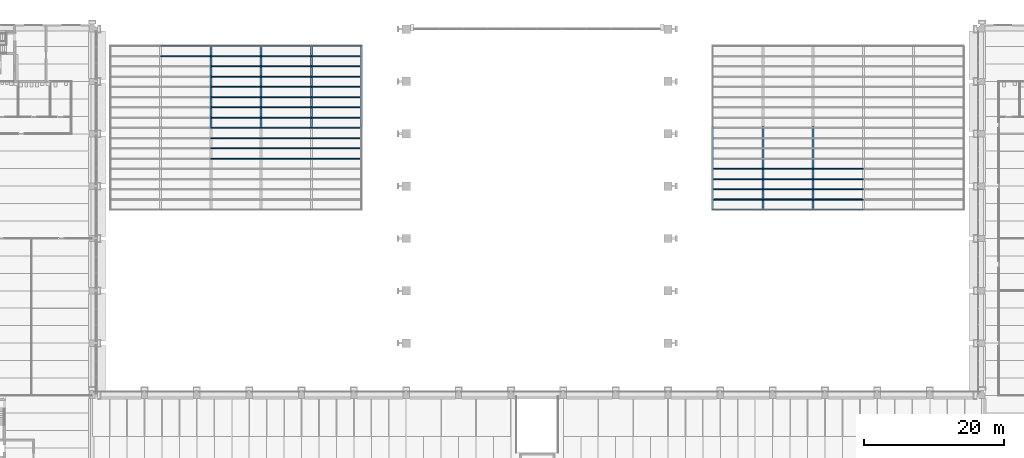
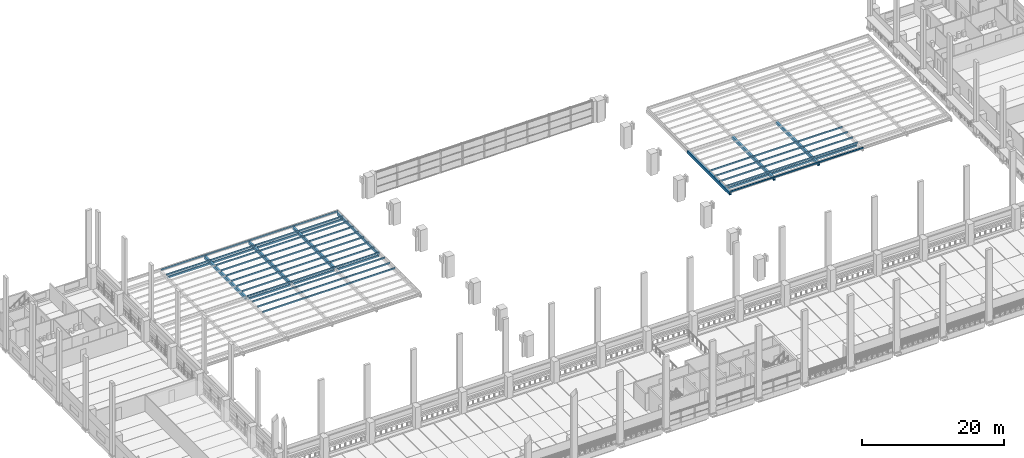
# One storey, part 15 of 67: 53 members, 17 beams.
"""IFC4 building model written with IfcOpenShell, lengths in metres."""

from ifc_helpers import new_model, si_unit, direction, frame, origin, origin_2d, place, context, subcontext, project, spatial, hollow_rectangle, extrude, material, material_profile, profile_set, type_object, element, save


model = new_model("IFC4")

# Units and contexts
model_context = context("Model", 3, precision=1e-05, world=origin(), true_north=direction((0.0, 1.0)))
body_context = subcontext(model_context, "Body", "Model", "MODEL_VIEW")
ifc_project = project(units=[si_unit("LENGTHUNIT", "METRE"), si_unit("AREAUNIT", "SQUARE_METRE"), si_unit("VOLUMEUNIT", "CUBIC_METRE"), si_unit("PLANEANGLEUNIT", "RADIAN"), si_unit("MASSUNIT", "GRAM", prefix="KILO")], contexts=[model_context])

# Site, building, storey
site_placement = place(None, origin())
site = spatial("IfcSite", under=ifc_project, at=site_placement, CompositionType="ELEMENT")
building_placement = place(site_placement, origin())
building = spatial("IfcBuilding", under=site, at=building_placement, Name="Cour d'Honneur Mobility Palace", CompositionType="ELEMENT")
storey_placement = place(building_placement, frame((0.0, 0.0, 4.5)))
storey = spatial("IfcBuildingStorey", under=building, at=storey_placement, Name="L01", CompositionType="ELEMENT", Elevation=4.5)

# Beams
ifc_material_1 = material(Name="Steel S355", Category="steel")
ifc_material_profile_1 = material_profile(ifc_material_1, hollow_rectangle(XDim=0.300048828125, YDim=0.5, WallThickness=0.01611328125, at=origin_2d()), Name="RHS 500x300x16")
ifc_profile_set_1 = profile_set([ifc_material_profile_1], Name="Steel S355")
beam_type_1 = type_object("IfcBeamType", Name="Canopy main beam RHS 500x300x16", PredefinedType="BEAM", material=ifc_profile_set_1)
for number, where, z_axis, x_axis, name in (
    (1, (34.39990234375, 100.911865234375, 0.75), (0.0, 1.0, 0.0), (-1.0, 0.0, 0.0), "Canopy main beam FCM-W3.2"),
    (2, (41.60009765625, 100.911865234375, 0.75), (0.0, 1.0, 0.0), (-1.0, 0.0, 0.0), "Canopy main beam FCM-W4.2"),
    (3, (48.800048828125, 100.911865234375, 0.75), (0.0, 1.0, 0.0), (-1.0, 0.0, 0.0), "Canopy main beam FCM-W5.2"),
    (4, (56.0, 100.911865234375, 0.75), (0.0, 1.0, 0.0), (-1.0, 0.0, 0.0), "Canopy main beam FCM-W6.2"),
):
    element("IfcBeam", number, at=place(storey_placement, frame(where, z_axis=z_axis, x_axis=x_axis)), inside=storey, type_object=beam_type_1, Name=name, PredefinedType="BEAM", context=body_context, shape_type="SweptSolid", body=[
        extrude(hollow_rectangle(XDim=0.300048828125, YDim=0.5, WallThickness=0.01611328125, at=origin_2d()), origin(), (0.0, 0.0, 1.0), 11.588134765625),
    ])
for number, where, z_axis, x_axis, name in (
    (5, (106.300048828125, 89.0, 0.75), (0.0, 1.0, 0.0), (-1.0, 0.0, 0.0), "Canopy main beam FCM-E1.1"),
    (6, (113.5, 89.0, 0.75), (0.0, 1.0, 0.0), (-1.0, 0.0, 0.0), "Canopy main beam FCM-E2.1"),
    (7, (120.699951171875, 89.0, 0.75), (0.0, 1.0, 0.0), (-1.0, 0.0, 0.0), "Canopy main beam FCM-E3.1"),
):
    element("IfcBeam", number, at=place(storey_placement, frame(where, z_axis=z_axis, x_axis=x_axis)), inside=storey, type_object=beam_type_1, Name=name, PredefinedType="BEAM", context=body_context, shape_type="SweptSolid", body=[
        extrude(hollow_rectangle(XDim=0.300048828125, YDim=0.5, WallThickness=0.01611328125, at=origin_2d()), origin(), (0.0, 0.0, 1.0), 11.911865234375),
    ])

# Members
ifc_material_2 = material(Name="Steel S355", Category="steel")
ifc_material_profile_2 = material_profile(ifc_material_2, hollow_rectangle(XDim=0.14990234375, YDim=0.25, WallThickness=0.010009765625, at=origin_2d()), Name="RHS 250x150x10")
ifc_profile_set_2 = profile_set([ifc_material_profile_2], Name="Steel S355")
member_type = type_object("IfcMemberType", Name="Canopy purlin RHS 250x150x10", PredefinedType="PURLIN", material=ifc_profile_set_2)
member_1_placement = place(storey_placement, frame((34.39990234375, 96.34375, 1.125), z_axis=(1.0, 0.0, 0.0), x_axis=(0.0, 1.0, 0.0)))
element("IfcMember", 8, at=member_1_placement, inside=storey, type_object=member_type, Name="Canopy purlin FCP-W6.3", PredefinedType="PURLIN", context=body_context, shape_type="SweptSolid", body=[
    extrude(hollow_rectangle(XDim=0.14990234375, YDim=0.25, WallThickness=0.010009765625, at=origin_2d()), origin(), (0.0, 0.0, 1.0), 7.2001953125),
])
for number, where, z_axis, x_axis, name in (
    (9, (41.60009765625, 96.34375, 1.125), (1.0, 0.0, 0.0), (0.0, 1.0, 0.0), "Canopy purlin FCP-W6.4"),
    (10, (48.800048828125, 96.34375, 1.125), (1.0, 0.0, 0.0), (0.0, 1.0, 0.0), "Canopy purlin FCP-W6.5"),
):
    element("IfcMember", number, at=place(storey_placement, frame(where, z_axis=z_axis, x_axis=x_axis)), inside=storey, type_object=member_type, Name=name, PredefinedType="PURLIN", context=body_context, shape_type="SweptSolid", body=[
        extrude(hollow_rectangle(XDim=0.14990234375, YDim=0.25, WallThickness=0.010009765625, at=origin_2d()), origin(), (0.0, 0.0, 1.0), 7.199951171875),
    ])
member_2_placement = place(storey_placement, frame((34.39990234375, 97.8125, 1.125), z_axis=(1.0, 0.0, 0.0), x_axis=(0.0, 1.0, 0.0)))
element("IfcMember", 11, at=member_2_placement, inside=storey, type_object=member_type, Name="Canopy purlin FCP-W7.3", PredefinedType="PURLIN", context=body_context, shape_type="SweptSolid", body=[
    extrude(hollow_rectangle(XDim=0.14990234375, YDim=0.25, WallThickness=0.010009765625, at=origin_2d()), origin(), (0.0, 0.0, 1.0), 7.2001953125),
])
for number, where, z_axis, x_axis, name in (
    (12, (41.60009765625, 97.8125, 1.125), (1.0, 0.0, 0.0), (0.0, 1.0, 0.0), "Canopy purlin FCP-W7.4"),
    (13, (48.800048828125, 97.8125, 1.125), (1.0, 0.0, 0.0), (0.0, 1.0, 0.0), "Canopy purlin FCP-W7.5"),
):
    element("IfcMember", number, at=place(storey_placement, frame(where, z_axis=z_axis, x_axis=x_axis)), inside=storey, type_object=member_type, Name=name, PredefinedType="PURLIN", context=body_context, shape_type="SweptSolid", body=[
        extrude(hollow_rectangle(XDim=0.14990234375, YDim=0.25, WallThickness=0.010009765625, at=origin_2d()), origin(), (0.0, 0.0, 1.0), 7.199951171875),
    ])
member_3_placement = place(storey_placement, frame((34.39990234375, 99.28125, 1.125), z_axis=(1.0, 0.0, 0.0), x_axis=(0.0, 1.0, 0.0)))
element("IfcMember", 14, at=member_3_placement, inside=storey, type_object=member_type, Name="Canopy purlin FCP-W8.3", PredefinedType="PURLIN", context=body_context, shape_type="SweptSolid", body=[
    extrude(hollow_rectangle(XDim=0.14990234375, YDim=0.25, WallThickness=0.010009765625, at=origin_2d()), origin(), (0.0, 0.0, 1.0), 7.2001953125),
])
for number, where, z_axis, x_axis, name in (
    (15, (41.60009765625, 99.28125, 1.125), (1.0, 0.0, 0.0), (0.0, 1.0, 0.0), "Canopy purlin FCP-W8.4"),
    (16, (48.800048828125, 99.28125, 1.125), (1.0, 0.0, 0.0), (0.0, 1.0, 0.0), "Canopy purlin FCP-W8.5"),
):
    element("IfcMember", number, at=place(storey_placement, frame(where, z_axis=z_axis, x_axis=x_axis)), inside=storey, type_object=member_type, Name=name, PredefinedType="PURLIN", context=body_context, shape_type="SweptSolid", body=[
        extrude(hollow_rectangle(XDim=0.14990234375, YDim=0.25, WallThickness=0.010009765625, at=origin_2d()), origin(), (0.0, 0.0, 1.0), 7.199951171875),
    ])
member_4_placement = place(storey_placement, frame((34.39990234375, 100.75, 1.125), z_axis=(1.0, 0.0, 0.0), x_axis=(0.0, 1.0, 0.0)))
element("IfcMember", 17, at=member_4_placement, inside=storey, type_object=member_type, Name="Canopy purlin FCP-W9.3", PredefinedType="PURLIN", context=body_context, shape_type="SweptSolid", body=[
    extrude(hollow_rectangle(XDim=0.14990234375, YDim=0.25, WallThickness=0.010009765625, at=origin_2d()), origin(), (0.0, 0.0, 1.0), 7.2001953125),
])
for number, where, z_axis, x_axis, name in (
    (18, (41.60009765625, 100.75, 1.125), (1.0, 0.0, 0.0), (0.0, 1.0, 0.0), "Canopy purlin FCP-W9.4"),
    (19, (48.800048828125, 100.75, 1.125), (1.0, 0.0, 0.0), (0.0, 1.0, 0.0), "Canopy purlin FCP-W9.5"),
):
    element("IfcMember", number, at=place(storey_placement, frame(where, z_axis=z_axis, x_axis=x_axis)), inside=storey, type_object=member_type, Name=name, PredefinedType="PURLIN", context=body_context, shape_type="SweptSolid", body=[
        extrude(hollow_rectangle(XDim=0.14990234375, YDim=0.25, WallThickness=0.010009765625, at=origin_2d()), origin(), (0.0, 0.0, 1.0), 7.199951171875),
    ])
member_5_placement = place(storey_placement, frame((34.39990234375, 102.21875, 1.125), z_axis=(1.0, 0.0, 0.0), x_axis=(0.0, 1.0, 0.0)))
element("IfcMember", 20, at=member_5_placement, inside=storey, type_object=member_type, Name="Canopy purlin FCP-W10.3", PredefinedType="PURLIN", context=body_context, shape_type="SweptSolid", body=[
    extrude(hollow_rectangle(XDim=0.14990234375, YDim=0.25, WallThickness=0.010009765625, at=origin_2d()), origin(), (0.0, 0.0, 1.0), 7.2001953125),
])
for number, where, z_axis, x_axis, name in (
    (21, (41.60009765625, 102.21875, 1.125), (1.0, 0.0, 0.0), (0.0, 1.0, 0.0), "Canopy purlin FCP-W10.4"),
    (22, (48.800048828125, 102.21875, 1.125), (1.0, 0.0, 0.0), (0.0, 1.0, 0.0), "Canopy purlin FCP-W10.5"),
):
    element("IfcMember", number, at=place(storey_placement, frame(where, z_axis=z_axis, x_axis=x_axis)), inside=storey, type_object=member_type, Name=name, PredefinedType="PURLIN", context=body_context, shape_type="SweptSolid", body=[
        extrude(hollow_rectangle(XDim=0.14990234375, YDim=0.25, WallThickness=0.010009765625, at=origin_2d()), origin(), (0.0, 0.0, 1.0), 7.199951171875),
    ])
member_6_placement = place(storey_placement, frame((34.39990234375, 103.6875, 1.125), z_axis=(1.0, 0.0, 0.0), x_axis=(0.0, 1.0, 0.0)))
element("IfcMember", 23, at=member_6_placement, inside=storey, type_object=member_type, Name="Canopy purlin FCP-W11.3", PredefinedType="PURLIN", context=body_context, shape_type="SweptSolid", body=[
    extrude(hollow_rectangle(XDim=0.14990234375, YDim=0.25, WallThickness=0.010009765625, at=origin_2d()), origin(), (0.0, 0.0, 1.0), 7.2001953125),
])
for number, where, z_axis, x_axis, name in (
    (24, (41.60009765625, 103.6875, 1.125), (1.0, 0.0, 0.0), (0.0, 1.0, 0.0), "Canopy purlin FCP-W11.4"),
    (25, (48.800048828125, 103.6875, 1.125), (1.0, 0.0, 0.0), (0.0, 1.0, 0.0), "Canopy purlin FCP-W11.5"),
):
    element("IfcMember", number, at=place(storey_placement, frame(where, z_axis=z_axis, x_axis=x_axis)), inside=storey, type_object=member_type, Name=name, PredefinedType="PURLIN", context=body_context, shape_type="SweptSolid", body=[
        extrude(hollow_rectangle(XDim=0.14990234375, YDim=0.25, WallThickness=0.010009765625, at=origin_2d()), origin(), (0.0, 0.0, 1.0), 7.199951171875),
    ])
member_7_placement = place(storey_placement, frame((34.39990234375, 105.15625, 1.125), z_axis=(1.0, 0.0, 0.0), x_axis=(0.0, 1.0, 0.0)))
element("IfcMember", 26, at=member_7_placement, inside=storey, type_object=member_type, Name="Canopy purlin FCP-W12.3", PredefinedType="PURLIN", context=body_context, shape_type="SweptSolid", body=[
    extrude(hollow_rectangle(XDim=0.14990234375, YDim=0.25, WallThickness=0.010009765625, at=origin_2d()), origin(), (0.0, 0.0, 1.0), 7.2001953125),
])
for number, where, z_axis, x_axis, name in (
    (27, (41.60009765625, 105.15625, 1.125), (1.0, 0.0, 0.0), (0.0, 1.0, 0.0), "Canopy purlin FCP-W12.4"),
    (28, (48.800048828125, 105.15625, 1.125), (1.0, 0.0, 0.0), (0.0, 1.0, 0.0), "Canopy purlin FCP-W12.5"),
):
    element("IfcMember", number, at=place(storey_placement, frame(where, z_axis=z_axis, x_axis=x_axis)), inside=storey, type_object=member_type, Name=name, PredefinedType="PURLIN", context=body_context, shape_type="SweptSolid", body=[
        extrude(hollow_rectangle(XDim=0.14990234375, YDim=0.25, WallThickness=0.010009765625, at=origin_2d()), origin(), (0.0, 0.0, 1.0), 7.199951171875),
    ])
member_8_placement = place(storey_placement, frame((34.39990234375, 106.625, 1.125), z_axis=(1.0, 0.0, 0.0), x_axis=(0.0, 1.0, 0.0)))
element("IfcMember", 29, at=member_8_placement, inside=storey, type_object=member_type, Name="Canopy purlin FCP-W13.3", PredefinedType="PURLIN", context=body_context, shape_type="SweptSolid", body=[
    extrude(hollow_rectangle(XDim=0.14990234375, YDim=0.25, WallThickness=0.010009765625, at=origin_2d()), origin(), (0.0, 0.0, 1.0), 7.2001953125),
])
for number, where, z_axis, x_axis, name in (
    (30, (41.60009765625, 106.625, 1.125), (1.0, 0.0, 0.0), (0.0, 1.0, 0.0), "Canopy purlin FCP-W13.4"),
    (31, (48.800048828125, 106.625, 1.125), (1.0, 0.0, 0.0), (0.0, 1.0, 0.0), "Canopy purlin FCP-W13.5"),
):
    element("IfcMember", number, at=place(storey_placement, frame(where, z_axis=z_axis, x_axis=x_axis)), inside=storey, type_object=member_type, Name=name, PredefinedType="PURLIN", context=body_context, shape_type="SweptSolid", body=[
        extrude(hollow_rectangle(XDim=0.14990234375, YDim=0.25, WallThickness=0.010009765625, at=origin_2d()), origin(), (0.0, 0.0, 1.0), 7.199951171875),
    ])
member_9_placement = place(storey_placement, frame((34.39990234375, 108.09375, 1.125), z_axis=(1.0, 0.0, 0.0), x_axis=(0.0, 1.0, 0.0)))
element("IfcMember", 32, at=member_9_placement, inside=storey, type_object=member_type, Name="Canopy purlin FCP-W14.3", PredefinedType="PURLIN", context=body_context, shape_type="SweptSolid", body=[
    extrude(hollow_rectangle(XDim=0.14990234375, YDim=0.25, WallThickness=0.010009765625, at=origin_2d()), origin(), (0.0, 0.0, 1.0), 7.2001953125),
])
for number, where, z_axis, x_axis, name in (
    (33, (41.60009765625, 108.09375, 1.125), (1.0, 0.0, 0.0), (0.0, 1.0, 0.0), "Canopy purlin FCP-W14.4"),
    (34, (48.800048828125, 108.09375, 1.125), (1.0, 0.0, 0.0), (0.0, 1.0, 0.0), "Canopy purlin FCP-W14.5"),
):
    element("IfcMember", number, at=place(storey_placement, frame(where, z_axis=z_axis, x_axis=x_axis)), inside=storey, type_object=member_type, Name=name, PredefinedType="PURLIN", context=body_context, shape_type="SweptSolid", body=[
        extrude(hollow_rectangle(XDim=0.14990234375, YDim=0.25, WallThickness=0.010009765625, at=origin_2d()), origin(), (0.0, 0.0, 1.0), 7.199951171875),
    ])
member_10_placement = place(storey_placement, frame((34.39990234375, 109.5625, 1.125), z_axis=(1.0, 0.0, 0.0), x_axis=(0.0, 1.0, 0.0)))
element("IfcMember", 35, at=member_10_placement, inside=storey, type_object=member_type, Name="Canopy purlin FCP-W15.3", PredefinedType="PURLIN", context=body_context, shape_type="SweptSolid", body=[
    extrude(hollow_rectangle(XDim=0.14990234375, YDim=0.25, WallThickness=0.010009765625, at=origin_2d()), origin(), (0.0, 0.0, 1.0), 7.2001953125),
])
for number, where, z_axis, x_axis, name in (
    (36, (41.60009765625, 109.5625, 1.125), (1.0, 0.0, 0.0), (0.0, 1.0, 0.0), "Canopy purlin FCP-W15.4"),
    (37, (48.800048828125, 109.5625, 1.125), (1.0, 0.0, 0.0), (0.0, 1.0, 0.0), "Canopy purlin FCP-W15.5"),
    (38, (27.199951171875, 111.03125, 1.125), (1.0, 0.0, 0.0), (0.0, 1.0, 0.0), "Canopy purlin FCP-W16.2"),
):
    element("IfcMember", number, at=place(storey_placement, frame(where, z_axis=z_axis, x_axis=x_axis)), inside=storey, type_object=member_type, Name=name, PredefinedType="PURLIN", context=body_context, shape_type="SweptSolid", body=[
        extrude(hollow_rectangle(XDim=0.14990234375, YDim=0.25, WallThickness=0.010009765625, at=origin_2d()), origin(), (0.0, 0.0, 1.0), 7.199951171875),
    ])
member_11_placement = place(storey_placement, frame((34.39990234375, 111.03125, 1.125), z_axis=(1.0, 0.0, 0.0), x_axis=(0.0, 1.0, 0.0)))
element("IfcMember", 39, at=member_11_placement, inside=storey, type_object=member_type, Name="Canopy purlin FCP-W16.3", PredefinedType="PURLIN", context=body_context, shape_type="SweptSolid", body=[
    extrude(hollow_rectangle(XDim=0.14990234375, YDim=0.25, WallThickness=0.010009765625, at=origin_2d()), origin(), (0.0, 0.0, 1.0), 7.2001953125),
])
for number, where, z_axis, x_axis, name in (
    (40, (41.60009765625, 111.03125, 1.125), (1.0, 0.0, 0.0), (0.0, 1.0, 0.0), "Canopy purlin FCP-W16.4"),
    (41, (48.800048828125, 111.03125, 1.125), (1.0, 0.0, 0.0), (0.0, 1.0, 0.0), "Canopy purlin FCP-W16.5"),
    (42, (27.199951171875, 112.5, 1.125), (1.0, 0.0, 0.0), (0.0, 1.0, 0.0), "Canopy purlin FCP-W17.2"),
):
    element("IfcMember", number, at=place(storey_placement, frame(where, z_axis=z_axis, x_axis=x_axis)), inside=storey, type_object=member_type, Name=name, PredefinedType="PURLIN", context=body_context, shape_type="SweptSolid", body=[
        extrude(hollow_rectangle(XDim=0.14990234375, YDim=0.25, WallThickness=0.010009765625, at=origin_2d()), origin(), (0.0, 0.0, 1.0), 7.199951171875),
    ])
member_12_placement = place(storey_placement, frame((34.39990234375, 112.5, 1.125), z_axis=(1.0, 0.0, 0.0), x_axis=(0.0, 1.0, 0.0)))
element("IfcMember", 43, at=member_12_placement, inside=storey, type_object=member_type, Name="Canopy purlin FCP-W17.3", PredefinedType="PURLIN", context=body_context, shape_type="SweptSolid", body=[
    extrude(hollow_rectangle(XDim=0.14990234375, YDim=0.25, WallThickness=0.010009765625, at=origin_2d()), origin(), (0.0, 0.0, 1.0), 7.2001953125),
])
for number, where, z_axis, x_axis, name in (
    (44, (41.60009765625, 112.5, 1.125), (1.0, 0.0, 0.0), (0.0, 1.0, 0.0), "Canopy purlin FCP-W17.4"),
    (45, (48.800048828125, 112.5, 1.125), (1.0, 0.0, 0.0), (0.0, 1.0, 0.0), "Canopy purlin FCP-W17.5"),
    (46, (106.300048828125, 89.0, 1.125), (1.0, 0.0, 0.0), (0.0, 1.0, 0.0), "Canopy purlin FCP-E1.1"),
    (47, (113.5, 89.0, 1.125), (1.0, 0.0, 0.0), (0.0, 1.0, 0.0), "Canopy purlin FCP-E1.2"),
    (48, (120.699951171875, 89.0, 1.125), (1.0, 0.0, 0.0), (0.0, 1.0, 0.0), "Canopy purlin FCP-E1.3"),
    (49, (106.300048828125, 90.46875, 1.125), (1.0, 0.0, 0.0), (0.0, 1.0, 0.0), "Canopy purlin FCP-E2.1"),
    (50, (113.5, 90.46875, 1.125), (1.0, 0.0, 0.0), (0.0, 1.0, 0.0), "Canopy purlin FCP-E2.2"),
    (51, (120.699951171875, 90.46875, 1.125), (1.0, 0.0, 0.0), (0.0, 1.0, 0.0), "Canopy purlin FCP-E2.3"),
    (52, (106.300048828125, 91.9375, 1.125), (1.0, 0.0, 0.0), (0.0, 1.0, 0.0), "Canopy purlin FCP-E3.1"),
    (53, (113.5, 91.9375, 1.125), (1.0, 0.0, 0.0), (0.0, 1.0, 0.0), "Canopy purlin FCP-E3.2"),
    (54, (120.699951171875, 91.9375, 1.125), (1.0, 0.0, 0.0), (0.0, 1.0, 0.0), "Canopy purlin FCP-E3.3"),
    (55, (106.300048828125, 93.40625, 1.125), (1.0, 0.0, 0.0), (0.0, 1.0, 0.0), "Canopy purlin FCP-E4.1"),
    (56, (113.5, 93.40625, 1.125), (1.0, 0.0, 0.0), (0.0, 1.0, 0.0), "Canopy purlin FCP-E4.2"),
    (57, (120.699951171875, 93.40625, 1.125), (1.0, 0.0, 0.0), (0.0, 1.0, 0.0), "Canopy purlin FCP-E4.3"),
    (58, (106.300048828125, 94.875, 1.125), (1.0, 0.0, 0.0), (0.0, 1.0, 0.0), "Canopy purlin FCP-E5.1"),
    (59, (113.5, 94.875, 1.125), (1.0, 0.0, 0.0), (0.0, 1.0, 0.0), "Canopy purlin FCP-E5.2"),
    (60, (120.699951171875, 94.875, 1.125), (1.0, 0.0, 0.0), (0.0, 1.0, 0.0), "Canopy purlin FCP-E5.3"),
):
    element("IfcMember", number, at=place(storey_placement, frame(where, z_axis=z_axis, x_axis=x_axis)), inside=storey, type_object=member_type, Name=name, PredefinedType="PURLIN", context=body_context, shape_type="SweptSolid", body=[
        extrude(hollow_rectangle(XDim=0.14990234375, YDim=0.25, WallThickness=0.010009765625, at=origin_2d()), origin(), (0.0, 0.0, 1.0), 7.199951171875),
    ])

# Beams
ifc_material_3 = material(Name="Steel S355", Category="steel")
ifc_material_profile_3 = material_profile(ifc_material_3, hollow_rectangle(XDim=0.199951171875, YDim=0.300048828125, WallThickness=0.012451171875, at=origin_2d()), Name="RHS 300x200x12.5")
ifc_profile_set_3 = profile_set([ifc_material_profile_3], Name="Steel S355")
beam_type_2 = type_object("IfcBeamType", Name="Canopy tie beam RHS 300x200x12.5", PredefinedType="BEAM", material=ifc_profile_set_3)
for number, where, z_axis, x_axis, name in (
    (61, (34.56201171875, 100.75, 0.64990234375), (1.0, 0.0, 0.0), (0.0, 1.0, 0.0), "Canopy tie beam FCT-W2.3"),
    (62, (41.761962890625, 100.75, 0.64990234375), (1.0, 0.0, 0.0), (0.0, 1.0, 0.0), "Canopy tie beam FCT-W2.4"),
):
    element("IfcBeam", number, at=place(storey_placement, frame(where, z_axis=z_axis, x_axis=x_axis)), inside=storey, type_object=beam_type_2, Name=name, PredefinedType="BEAM", context=body_context, shape_type="SweptSolid", body=[
        extrude(hollow_rectangle(XDim=0.199951171875, YDim=0.300048828125, WallThickness=0.012451171875, at=origin_2d()), origin(), (0.0, 0.0, 1.0), 6.8759765625),
    ])
beam_1_placement = place(storey_placement, frame((48.9619140625, 100.75, 0.64990234375), z_axis=(1.0, 0.0, 0.0), x_axis=(0.0, 1.0, 0.0)))
element("IfcBeam", 63, at=beam_1_placement, inside=storey, type_object=beam_type_2, Name="Canopy tie beam FCT-W2.5", PredefinedType="BEAM", context=body_context, shape_type="SweptSolid", body=[
    extrude(hollow_rectangle(XDim=0.199951171875, YDim=0.300048828125, WallThickness=0.012451171875, at=origin_2d()), origin(), (0.0, 0.0, 1.0), 6.876220703125),
])
for number, where, z_axis, x_axis, name in (
    (64, (27.362060546875, 111.0, 0.64990234375), (1.0, 0.0, 0.0), (0.0, 1.0, 0.0), "Canopy tie beam FCT-W3.2"),
    (65, (34.56201171875, 111.0, 0.64990234375), (1.0, 0.0, 0.0), (0.0, 1.0, 0.0), "Canopy tie beam FCT-W3.3"),
    (66, (41.761962890625, 111.0, 0.64990234375), (1.0, 0.0, 0.0), (0.0, 1.0, 0.0), "Canopy tie beam FCT-W3.4"),
):
    element("IfcBeam", number, at=place(storey_placement, frame(where, z_axis=z_axis, x_axis=x_axis)), inside=storey, type_object=beam_type_2, Name=name, PredefinedType="BEAM", context=body_context, shape_type="SweptSolid", body=[
        extrude(hollow_rectangle(XDim=0.199951171875, YDim=0.300048828125, WallThickness=0.012451171875, at=origin_2d()), origin(), (0.0, 0.0, 1.0), 6.8759765625),
    ])
for number, where, z_axis, x_axis, name in (
    (67, (48.9619140625, 111.0, 0.64990234375), (1.0, 0.0, 0.0), (0.0, 1.0, 0.0), "Canopy tie beam FCT-W3.5"),
    (68, (106.4619140625, 90.5, 0.64990234375), (1.0, 0.0, 0.0), (0.0, 1.0, 0.0), "Canopy tie beam FCT-E1.1"),
    (69, (113.661865234375, 90.5, 0.64990234375), (1.0, 0.0, 0.0), (0.0, 1.0, 0.0), "Canopy tie beam FCT-E1.2"),
):
    element("IfcBeam", number, at=place(storey_placement, frame(where, z_axis=z_axis, x_axis=x_axis)), inside=storey, type_object=beam_type_2, Name=name, PredefinedType="BEAM", context=body_context, shape_type="SweptSolid", body=[
        extrude(hollow_rectangle(XDim=0.199951171875, YDim=0.300048828125, WallThickness=0.012451171875, at=origin_2d()), origin(), (0.0, 0.0, 1.0), 6.876220703125),
    ])
beam_2_placement = place(storey_placement, frame((120.862060546875, 90.5, 0.64990234375), z_axis=(1.0, 0.0, 0.0), x_axis=(0.0, 1.0, 0.0)))
element("IfcBeam", 70, at=beam_2_placement, inside=storey, type_object=beam_type_2, Name="Canopy tie beam FCT-E1.3", PredefinedType="BEAM", context=body_context, shape_type="SweptSolid", body=[
    extrude(hollow_rectangle(XDim=0.199951171875, YDim=0.300048828125, WallThickness=0.012451171875, at=origin_2d()), origin(), (0.0, 0.0, 1.0), 6.8759765625),
])

save(model, "model.ifc")
